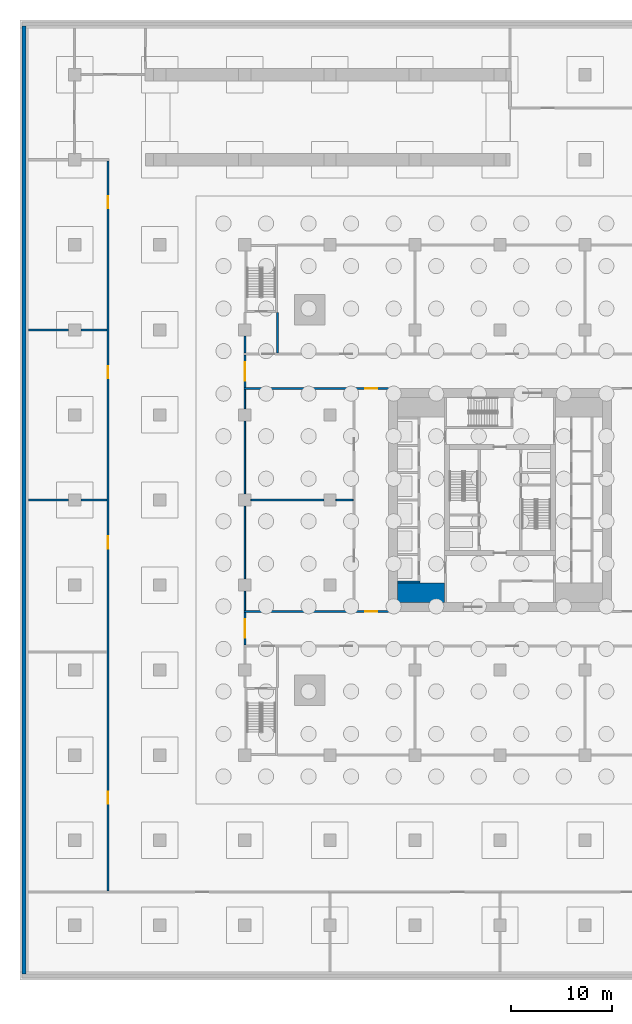
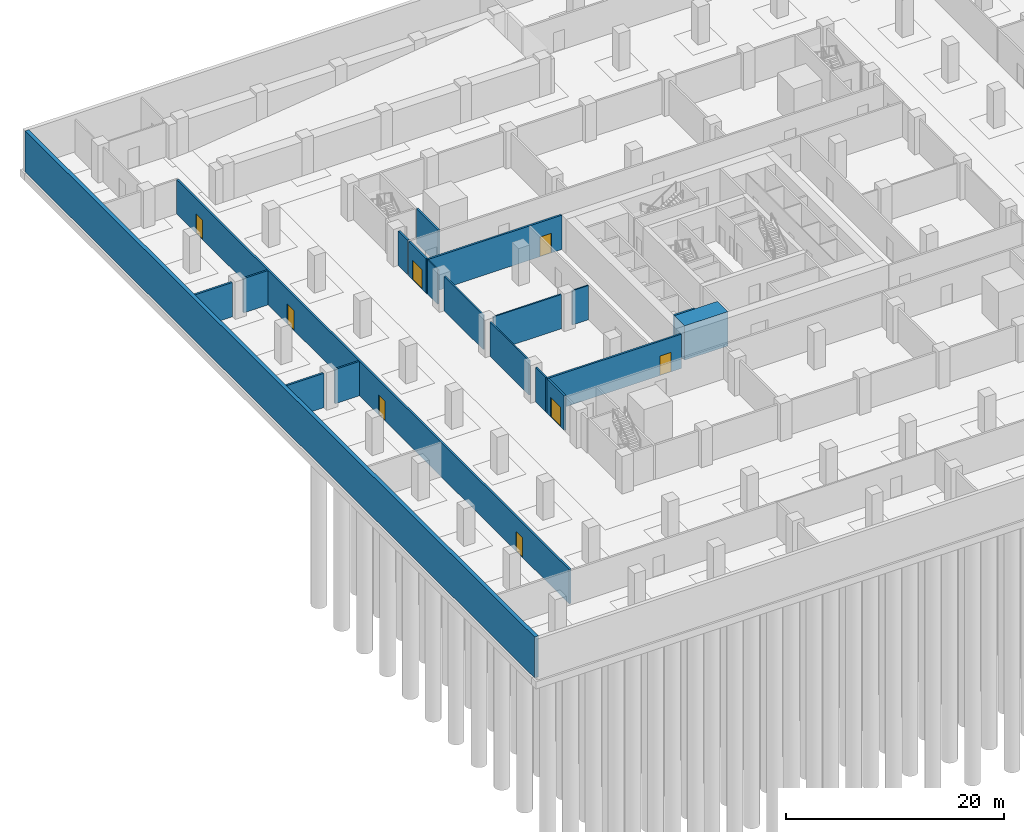
# One storey, part 6 of 19: 20 walls, 8 doors, 8 openings.
"""IFC4 building model written with IfcOpenShell, lengths in metres."""

from ifc_helpers import new_model, si_unit, direction, frame, frame_2d, origin, place, context, subcontext, project, spatial, rectangle, extrude, material, layer, layer_set, type_object, element, fill, save


model = new_model("IFC4")

# Units and contexts
model_context = context("Model", 3, precision=1e-05, world=origin(), true_north=direction((0.0, 1.0)))
body_context = subcontext(model_context, "Body", "Model", "MODEL_VIEW")
ifc_project = project(units=[si_unit("LENGTHUNIT", "METRE"), si_unit("AREAUNIT", "SQUARE_METRE"), si_unit("VOLUMEUNIT", "CUBIC_METRE"), si_unit("PLANEANGLEUNIT", "RADIAN"), si_unit("MASSUNIT", "GRAM", prefix="KILO")], contexts=[model_context])

# Site, building, storey
site_placement = place(None, origin())
site = spatial("IfcSite", under=ifc_project, at=site_placement, CompositionType="ELEMENT")
building_placement = place(site_placement, origin())
building = spatial("IfcBuilding", under=site, at=building_placement, Name="Khepri Terraces", CompositionType="ELEMENT")
storey_placement = place(building_placement, frame((0.0, 0.0, -8.39990234375)))
storey = spatial("IfcBuildingStorey", under=building, at=storey_placement, Name="B2", CompositionType="ELEMENT", Elevation=-8.39990234375)

# Walls
ifc_material_1 = material(Name="Concrete C80/95", Category="concrete")
ifc_layer_1 = layer(ifc_material_1, 1.89990234375, Name="Concrete C80/95", Category="concrete")
ifc_layer_set_1 = layer_set([ifc_layer_1], Name="Concrete C80/95")
wall_type_1 = type_object("IfcWallType", Name="Core wall 1900 C80/95", PredefinedType="SHEAR", material=ifc_layer_set_1)
wall_1_placement = place(storey_placement, frame((-10.10009765625, -9.14990234375, 0.0), z_axis=(0.0, 0.0, 1.0), x_axis=(1.0, 0.0, 0.0)))
element("IfcWall", 1, at=wall_1_placement, inside=storey, type_object=wall_type_1, Name="Core wall PR01 B2", PredefinedType="SHEAR", context=body_context, shape_type="SweptSolid", body=[
    extrude(rectangle(XDim=4.60009765625, YDim=1.89990234375, at=frame_2d((2.300048828125, 0.0))), origin(), (0.0, 0.0, 1.0), 3.849853515625),
])
ifc_layer_2 = layer(ifc_material_1, 0.199951171875, Name="Concrete C80/95", Category="concrete")
ifc_layer_set_2 = layer_set([ifc_layer_2], Name="Concrete C80/95")
wall_type_2 = type_object("IfcWallType", Name="Core wall 200 C80/95", PredefinedType="SHEAR", material=ifc_layer_set_2)
wall_2_placement = place(storey_placement, frame((-10.10009765625, -8.10009765625, 0.0), z_axis=(0.0, 0.0, 1.0), x_axis=(1.0, 0.0, 0.0)))
element("IfcWall", 2, at=wall_2_placement, inside=storey, type_object=wall_type_2, Name="Core wall SH01 B2", PredefinedType="SHEAR", context=body_context, shape_type="SweptSolid", body=[
    extrude(rectangle(XDim=2.2001953125, YDim=0.199951171875, at=frame_2d((1.10009765625, 0.0))), origin(), (0.0, 0.0, 1.0), 3.849853515625),
])
ifc_material_2 = material(Name="Concrete C60/75", Category="concrete")
ifc_layer_3 = layer(ifc_material_2, 0.39990234375, Name="Concrete C60/75", Category="concrete")
ifc_layer_set_3 = layer_set([ifc_layer_3], Name="Concrete C60/75")
wall_type_3 = type_object("IfcWallType", Name="Retaining wall RW1", PredefinedType="USERDEFINED", material=ifc_layer_set_3)
wall_3_placement = place(storey_placement, frame((-47.0, -46.800048828125, -0.400146484375), z_axis=(0.0, 0.0, 1.0), x_axis=(0.0, 1.0, 0.0)))
element("IfcWall", 3, at=wall_3_placement, inside=storey, type_object=wall_type_3, Name="Basement retaining wall W B2", ObjectType="RETAINING WALL", PredefinedType="USERDEFINED", context=body_context, shape_type="SweptSolid", body=[
    extrude(rectangle(XDim=93.60009765625, YDim=0.39990234375, at=frame_2d((46.800048828125, 0.0))), origin(), (0.0, 0.0, 1.0), 4.60009765625),
])
ifc_material_3 = material(Name="Gypsum board partition")
ifc_layer_4 = layer(ifc_material_3, 0.14990234375, Name="Gypsum board partition")
ifc_layer_set_4 = layer_set([ifc_layer_4], Name="Gypsum board partition")
wall_type_4 = type_object("IfcWallType", Name="WL-POD-150", PredefinedType="PARTITIONING", material=ifc_layer_set_4)
wall_4_placement = place(storey_placement, frame((-24.60009765625, 0.0, 0.0), z_axis=(0.0, 0.0, 1.0), x_axis=(1.0, 0.0, 0.0)))
element("IfcWall", 4, at=wall_4_placement, inside=storey, type_object=wall_type_4, Name="Partition B2-PW020", PredefinedType="PARTITIONING", context=body_context, shape_type="SweptSolid", body=[
    extrude(rectangle(XDim=7.2001953125, YDim=0.14990234375, at=frame_2d((3.60009765625, 0.0))), origin(), (0.0, 0.0, 1.0), 3.849853515625),
])
wall_5_placement = place(storey_placement, frame((-16.199951171875, 0.0, 0.0), z_axis=(0.0, 0.0, 1.0), x_axis=(1.0, 0.0, 0.0)))
element("IfcWall", 5, at=wall_5_placement, inside=storey, type_object=wall_type_4, Name="Partition B2-PW021", PredefinedType="PARTITIONING", context=body_context, shape_type="SweptSolid", body=[
    extrude(rectangle(XDim=1.699951171875, YDim=0.14990234375, at=frame_2d((0.85009765625, 0.0))), origin(), (0.0, 0.0, 1.0), 3.849853515625),
])
wall_6_placement = place(storey_placement, frame((-25.199951171875, -10.89990234375, 0.0), z_axis=(0.0, 0.0, 1.0), x_axis=(0.0, 1.0, 0.0)))
element("IfcWall", 6, at=wall_6_placement, inside=storey, type_object=wall_type_4, Name="Partition B2-PW062", PredefinedType="PARTITIONING", context=body_context, shape_type="SweptSolid", body=[
    extrude(rectangle(XDim=1.89990234375, YDim=0.14990234375, at=frame_2d((0.949951171875, 0.0))), origin(), (0.0, 0.0, 1.0), 3.849853515625),
])
for number, where, z_axis, x_axis, name in (
    (7, (-25.199951171875, -7.800048828125, 0.0), (0.0, 0.0, 1.0), (0.0, 1.0, 0.0), "Partition B2-PW063"),
    (8, (-25.199951171875, 0.60009765625, 0.0), (0.0, 0.0, 1.0), (0.0, 1.0, 0.0), "Partition B2-PW064"),
):
    element("IfcWall", number, at=place(storey_placement, frame(where, z_axis=z_axis, x_axis=x_axis)), inside=storey, type_object=wall_type_4, Name=name, PredefinedType="PARTITIONING", context=body_context, shape_type="SweptSolid", body=[
        extrude(rectangle(XDim=7.199951171875, YDim=0.14990234375, at=frame_2d((3.60009765625, 0.0))), origin(), (0.0, 0.0, 1.0), 3.849853515625),
    ])
wall_7_placement = place(storey_placement, frame((-25.199951171875, 9.0, 0.0), z_axis=(0.0, 0.0, 1.0), x_axis=(0.0, 1.0, 0.0)))
element("IfcWall", 9, at=wall_7_placement, inside=storey, type_object=wall_type_4, Name="Partition B2-PW065", PredefinedType="PARTITIONING", context=body_context, shape_type="SweptSolid", body=[
    extrude(rectangle(XDim=1.89990234375, YDim=0.14990234375, at=frame_2d((0.949951171875, 0.0))), origin(), (0.0, 0.0, 1.0), 3.849853515625),
])
ifc_material_4 = material(Name="Fire-rated block wall")
ifc_layer_5 = layer(ifc_material_4, 0.199951171875, Name="Fire-rated block wall")
ifc_layer_set_5 = layer_set([ifc_layer_5], Name="Fire-rated block wall")
wall_type_5 = type_object("IfcWallType", Name="WL-POD-200-EI120", PredefinedType="PARTITIONING", material=ifc_layer_set_5)
wall_8_placement = place(storey_placement, frame((-46.550048828125, 0.0, 0.0), z_axis=(0.0, 0.0, 1.0), x_axis=(1.0, 0.0, 0.0)))
element("IfcWall", 10, at=wall_8_placement, inside=storey, type_object=wall_type_5, Name="Partition B2-PW018", PredefinedType="PARTITIONING", context=body_context, shape_type="SweptSolid", body=[
    extrude(rectangle(XDim=3.949951171875, YDim=0.199951171875, at=frame_2d((1.97509765625, 0.0))), origin(), (0.0, 0.0, 1.0), 3.849853515625),
])
wall_9_placement = place(storey_placement, frame((-41.39990234375, 0.0, 0.0), z_axis=(0.0, 0.0, 1.0), x_axis=(1.0, 0.0, 0.0)))
element("IfcWall", 11, at=wall_9_placement, inside=storey, type_object=wall_type_5, Name="Partition B2-PW019", PredefinedType="PARTITIONING", context=body_context, shape_type="SweptSolid", body=[
    extrude(rectangle(XDim=2.599853515625, YDim=0.199951171875, at=frame_2d((1.2998046875, 0.0))), origin(), (0.0, 0.0, 1.0), 3.849853515625),
])
wall_10_placement = place(storey_placement, frame((-46.550048828125, 16.800048828125, 0.0), z_axis=(0.0, 0.0, 1.0), x_axis=(1.0, 0.0, 0.0)))
element("IfcWall", 12, at=wall_10_placement, inside=storey, type_object=wall_type_5, Name="Partition B2-PW027", PredefinedType="PARTITIONING", context=body_context, shape_type="SweptSolid", body=[
    extrude(rectangle(XDim=3.949951171875, YDim=0.199951171875, at=frame_2d((1.97509765625, 0.0))), origin(), (0.0, 0.0, 1.0), 3.849853515625),
])
wall_11_placement = place(storey_placement, frame((-41.39990234375, 16.800048828125, 0.0), z_axis=(0.0, 0.0, 1.0), x_axis=(1.0, 0.0, 0.0)))
element("IfcWall", 13, at=wall_11_placement, inside=storey, type_object=wall_type_5, Name="Partition B2-PW028", PredefinedType="PARTITIONING", context=body_context, shape_type="SweptSolid", body=[
    extrude(rectangle(XDim=2.599853515625, YDim=0.199951171875, at=frame_2d((1.2998046875, 0.0))), origin(), (0.0, 0.0, 1.0), 3.849853515625),
])

# Wall, openings, doors
wall_12_placement = place(storey_placement, frame((-38.699951171875, -38.60009765625, 0.0), z_axis=(0.0, 0.0, 1.0), x_axis=(0.0, 1.0, 0.0)))
wall_12 = element("IfcWall", 14, at=wall_12_placement, inside=storey, type_object=wall_type_5, Name="Partition B2-PW057", PredefinedType="PARTITIONING", context=body_context, shape_type="SweptSolid", body=[
    extrude(rectangle(XDim=72.10009765625, YDim=0.199951171875, at=frame_2d((36.050048828125, 0.0))), origin(), (0.0, 0.0, 1.0), 3.849853515625),
])
opening_1_placement = place(wall_12_placement, frame((8.60009765625, 0.0, 0.0)))
opening_1 = element("IfcOpeningElement", 15, at=opening_1_placement, cuts=wall_12, Name="Opening B2-P05", PredefinedType="OPENING", context=body_context, shape_type="SweptSolid", body=[
    extrude(rectangle(XDim=1.199951171875, YDim=2.199951171875, at=frame_2d((0.60009765625, 1.10009765625))), frame((0.0, 0.10986328125, 0.0), z_axis=(0.0, -1.0, 0.0), x_axis=(1.0, 0.0, 0.0)), (0.0, 0.0, 1.0), 0.219970703125),
])
opening_2_placement = place(wall_12_placement, frame((33.800048828125, 0.0, 0.0)))
opening_2 = element("IfcOpeningElement", 16, at=opening_2_placement, cuts=wall_12, Name="Opening B2-P18", PredefinedType="OPENING", context=body_context, shape_type="SweptSolid", body=[
    extrude(rectangle(XDim=1.199951171875, YDim=2.199951171875, at=frame_2d((0.60009765625, 1.10009765625))), frame((0.0, 0.10986328125, 0.0), z_axis=(0.0, -1.0, 0.0), x_axis=(1.0, 0.0, 0.0)), (0.0, 0.0, 1.0), 0.219970703125),
])
opening_3_placement = place(wall_12_placement, frame((50.60009765625, 0.0, 0.0)))
opening_3 = element("IfcOpeningElement", 17, at=opening_3_placement, cuts=wall_12, Name="Opening B2-P24", PredefinedType="OPENING", context=body_context, shape_type="SweptSolid", body=[
    extrude(rectangle(XDim=1.199951171875, YDim=2.199951171875, at=frame_2d((0.60009765625, 1.10009765625))), frame((0.0, 0.10986328125, 0.0), z_axis=(0.0, -1.0, 0.0), x_axis=(1.0, 0.0, 0.0)), (0.0, 0.0, 1.0), 0.219970703125),
])
opening_4_placement = place(wall_12_placement, frame((67.39990234375, 0.0, 0.0)))
opening_4 = element("IfcOpeningElement", 18, at=opening_4_placement, cuts=wall_12, Name="Opening B2-P33", PredefinedType="OPENING", context=body_context, shape_type="SweptSolid", body=[
    extrude(rectangle(XDim=1.199951171875, YDim=2.199951171875, at=frame_2d((0.60009765625, 1.10009765625))), frame((0.0, 0.10986328125, 0.0), z_axis=(0.0, -1.0, 0.0), x_axis=(1.0, 0.0, 0.0)), (0.0, 0.0, 1.0), 0.219970703125),
])
ifc_material_5 = material(Name="Painted steel", Category="steel")
door_type_1 = type_object("IfcDoorType", Name="DR-POD-PLANT-1200", OperationType="NOTDEFINED", PredefinedType="DOOR", material=ifc_material_5)
door_1_placement = place(opening_1_placement, origin())
door_1 = element("IfcDoor", 19, at=door_1_placement, inside=storey, type_object=door_type_1, Name="Plant room door B2-P05", OperationType="SINGLE_SWING_LEFT", OverallHeight=2.199951171875, OverallWidth=1.199951171875, PredefinedType="DOOR", context=body_context, shape_type="SweptSolid", body=[
    extrude(rectangle(XDim=1.199951171875, YDim=2.199951171875, at=frame_2d((0.60009765625, 1.10009765625))), frame((0.0, 0.02490234375, 0.0), z_axis=(0.0, -1.0, 0.0), x_axis=(1.0, 0.0, 0.0)), (0.0, 0.0, 1.0), 0.050048828125),
])
fill(opening_1, door_1)
door_2_placement = place(opening_2_placement, origin())
door_2 = element("IfcDoor", 20, at=door_2_placement, inside=storey, type_object=door_type_1, Name="Plant room door B2-P18", OperationType="SINGLE_SWING_LEFT", OverallHeight=2.199951171875, OverallWidth=1.199951171875, PredefinedType="DOOR", context=body_context, shape_type="SweptSolid", body=[
    extrude(rectangle(XDim=1.199951171875, YDim=2.199951171875, at=frame_2d((0.60009765625, 1.10009765625))), frame((0.0, 0.02490234375, 0.0), z_axis=(0.0, -1.0, 0.0), x_axis=(1.0, 0.0, 0.0)), (0.0, 0.0, 1.0), 0.050048828125),
])
fill(opening_2, door_2)
door_3_placement = place(opening_3_placement, origin())
door_3 = element("IfcDoor", 21, at=door_3_placement, inside=storey, type_object=door_type_1, Name="Plant room door B2-P24", OperationType="SINGLE_SWING_RIGHT", OverallHeight=2.199951171875, OverallWidth=1.199951171875, PredefinedType="DOOR", context=body_context, shape_type="SweptSolid", body=[
    extrude(rectangle(XDim=1.199951171875, YDim=2.199951171875, at=frame_2d((0.60009765625, 1.10009765625))), frame((0.0, 0.02490234375, 0.0), z_axis=(0.0, -1.0, 0.0), x_axis=(1.0, 0.0, 0.0)), (0.0, 0.0, 1.0), 0.050048828125),
])
fill(opening_3, door_3)
door_4_placement = place(opening_4_placement, origin())
door_4 = element("IfcDoor", 22, at=door_4_placement, inside=storey, type_object=door_type_1, Name="Plant room door B2-P33", OperationType="SINGLE_SWING_RIGHT", OverallHeight=2.199951171875, OverallWidth=1.199951171875, PredefinedType="DOOR", context=body_context, shape_type="SweptSolid", body=[
    extrude(rectangle(XDim=1.199951171875, YDim=2.199951171875, at=frame_2d((0.60009765625, 1.10009765625))), frame((0.0, 0.02490234375, 0.0), z_axis=(0.0, -1.0, 0.0), x_axis=(1.0, 0.0, 0.0)), (0.0, 0.0, 1.0), 0.050048828125),
])
fill(opening_4, door_4)

# Walls
wall_13_placement = place(storey_placement, frame((-25.199951171875, 14.5, 0.0), z_axis=(0.0, 0.0, 1.0), x_axis=(0.0, 1.0, 0.0)))
element("IfcWall", 23, at=wall_13_placement, inside=storey, type_object=wall_type_5, Name="Partition B2-PW067", PredefinedType="PARTITIONING", context=body_context, shape_type="SweptSolid", body=[
    extrude(rectangle(XDim=1.699951171875, YDim=0.199951171875, at=frame_2d((0.85009765625, 0.0))), origin(), (0.0, 0.0, 1.0), 3.849853515625),
])
wall_14_placement = place(storey_placement, frame((-21.949951171875, 14.5, 0.0), z_axis=(0.0, 0.0, 1.0), x_axis=(0.0, 1.0, 0.0)))
element("IfcWall", 24, at=wall_14_placement, inside=storey, type_object=wall_type_5, Name="Partition B2-PW070", PredefinedType="PARTITIONING", context=body_context, shape_type="SweptSolid", body=[
    extrude(rectangle(XDim=4.0, YDim=0.199951171875, at=frame_2d((2.0, 0.0))), origin(), (0.0, 0.0, 1.0), 3.849853515625),
])

# Wall, opening, door
ifc_layer_6 = layer(ifc_material_4, 0.199951171875, Name="Fire-rated block wall")
ifc_layer_set_6 = layer_set([ifc_layer_6], Name="Fire-rated block wall")
wall_type_6 = type_object("IfcWallType", Name="WL-POD-200-EI60", PredefinedType="PARTITIONING", material=ifc_layer_set_6)
wall_15_placement = place(storey_placement, frame((-25.300048828125, -11.0, 0.0), z_axis=(0.0, 0.0, 1.0), x_axis=(1.0, 0.0, 0.0)))
wall_15 = element("IfcWall", 25, at=wall_15_placement, inside=storey, type_object=wall_type_6, Name="Partition B2-PW015", PredefinedType="PARTITIONING", context=body_context, shape_type="SweptSolid", body=[
    extrude(rectangle(XDim=14.300048828125, YDim=0.199951171875, at=frame_2d((7.14990234375, 0.0))), origin(), (0.0, 0.0, 1.0), 3.849853515625),
])
opening_5_placement = place(wall_15_placement, frame((12.0, 0.0, 0.0)))
opening_5 = element("IfcOpeningElement", 26, at=opening_5_placement, cuts=wall_15, Name="Opening B2-P14", PredefinedType="OPENING", context=body_context, shape_type="SweptSolid", body=[
    extrude(rectangle(XDim=1.199951171875, YDim=2.199951171875, at=frame_2d((0.60009765625, 1.10009765625))), frame((0.0, 0.10986328125, 0.0), z_axis=(0.0, -1.0, 0.0), x_axis=(1.0, 0.0, 0.0)), (0.0, 0.0, 1.0), 0.219970703125),
])
door_type_2 = type_object("IfcDoorType", Name="DR-POD-FIRE-1200", OperationType="NOTDEFINED", PredefinedType="DOOR", material=ifc_material_5)
door_5_placement = place(opening_5_placement, origin())
door_5 = element("IfcDoor", 27, at=door_5_placement, inside=storey, type_object=door_type_2, Name="Fire door B2-P14", OperationType="SINGLE_SWING_LEFT", OverallHeight=2.199951171875, OverallWidth=1.199951171875, PredefinedType="DOOR", context=body_context, shape_type="SweptSolid", body=[
    extrude(rectangle(XDim=1.199951171875, YDim=2.199951171875, at=frame_2d((0.60009765625, 1.10009765625))), frame((0.0, 0.02490234375, 0.0), z_axis=(0.0, -1.0, 0.0), x_axis=(1.0, 0.0, 0.0)), (0.0, 0.0, 1.0), 0.050048828125),
])
fill(opening_5, door_5)

wall_16_placement = place(storey_placement, frame((-25.300048828125, 11.0, 0.0), z_axis=(0.0, 0.0, 1.0), x_axis=(1.0, 0.0, 0.0)))
wall_16 = element("IfcWall", 28, at=wall_16_placement, inside=storey, type_object=wall_type_6, Name="Partition B2-PW024", PredefinedType="PARTITIONING", context=body_context, shape_type="SweptSolid", body=[
    extrude(rectangle(XDim=14.300048828125, YDim=0.199951171875, at=frame_2d((7.14990234375, 0.0))), origin(), (0.0, 0.0, 1.0), 3.849853515625),
])
opening_6_placement = place(wall_16_placement, frame((12.0, 0.0, 0.0)))
opening_6 = element("IfcOpeningElement", 29, at=opening_6_placement, cuts=wall_16, Name="Opening B2-P22", PredefinedType="OPENING", context=body_context, shape_type="SweptSolid", body=[
    extrude(rectangle(XDim=1.199951171875, YDim=2.199951171875, at=frame_2d((0.60009765625, 1.10009765625))), frame((0.0, 0.10986328125, 0.0), z_axis=(0.0, -1.0, 0.0), x_axis=(1.0, 0.0, 0.0)), (0.0, 0.0, 1.0), 0.219970703125),
])
door_6_placement = place(opening_6_placement, origin())
door_6 = element("IfcDoor", 30, at=door_6_placement, inside=storey, type_object=door_type_2, Name="Fire door B2-P22", OperationType="SINGLE_SWING_RIGHT", OverallHeight=2.199951171875, OverallWidth=1.199951171875, PredefinedType="DOOR", context=body_context, shape_type="SweptSolid", body=[
    extrude(rectangle(XDim=1.199951171875, YDim=2.199951171875, at=frame_2d((0.60009765625, 1.10009765625))), frame((0.0, 0.02490234375, 0.0), z_axis=(0.0, -1.0, 0.0), x_axis=(1.0, 0.0, 0.0)), (0.0, 0.0, 1.0), 0.050048828125),
])
fill(opening_6, door_6)

wall_17_placement = place(storey_placement, frame((-25.199951171875, -14.300048828125, 0.0), z_axis=(0.0, 0.0, 1.0), x_axis=(0.0, 1.0, 0.0)))
wall_17 = element("IfcWall", 31, at=wall_17_placement, inside=storey, type_object=wall_type_6, Name="Partition B2-PW061", PredefinedType="PARTITIONING", context=body_context, shape_type="SweptSolid", body=[
    extrude(rectangle(XDim=3.199951171875, YDim=0.199951171875, at=frame_2d((1.60009765625, 0.0))), origin(), (0.0, 0.0, 1.0), 3.849853515625),
])
opening_7_placement = place(wall_17_placement, frame((0.699951171875, 0.0, 0.0)))
opening_7 = element("IfcOpeningElement", 32, at=opening_7_placement, cuts=wall_17, Name="Opening B2-P12", PredefinedType="OPENING", context=body_context, shape_type="SweptSolid", body=[
    extrude(rectangle(XDim=1.800048828125, YDim=2.199951171875, at=frame_2d((0.89990234375, 1.10009765625))), frame((0.0, 0.10986328125, 0.0), z_axis=(0.0, -1.0, 0.0), x_axis=(1.0, 0.0, 0.0)), (0.0, 0.0, 1.0), 0.219970703125),
])
door_type_3 = type_object("IfcDoorType", Name="DR-POD-FIRE-PAIR-1800", OperationType="DOUBLE_DOOR_SINGLE_SWING", PredefinedType="DOOR", material=ifc_material_5)
door_7_placement = place(opening_7_placement, origin())
door_7 = element("IfcDoor", 33, at=door_7_placement, inside=storey, type_object=door_type_3, Name="Fire door pair B2-P12", OperationType="DOUBLE_DOOR_SINGLE_SWING", OverallHeight=2.199951171875, OverallWidth=1.800048828125, PredefinedType="DOOR", context=body_context, shape_type="SweptSolid", body=[
    extrude(rectangle(XDim=1.800048828125, YDim=2.199951171875, at=frame_2d((0.89990234375, 1.10009765625))), frame((0.0, 0.02490234375, 0.0), z_axis=(0.0, -1.0, 0.0), x_axis=(1.0, 0.0, 0.0)), (0.0, 0.0, 1.0), 0.050048828125),
])
fill(opening_7, door_7)

wall_18_placement = place(storey_placement, frame((-25.199951171875, 11.10009765625, 0.0), z_axis=(0.0, 0.0, 1.0), x_axis=(0.0, 1.0, 0.0)))
wall_18 = element("IfcWall", 34, at=wall_18_placement, inside=storey, type_object=wall_type_6, Name="Partition B2-PW066", PredefinedType="PARTITIONING", context=body_context, shape_type="SweptSolid", body=[
    extrude(rectangle(XDim=3.199951171875, YDim=0.199951171875, at=frame_2d((1.60009765625, 0.0))), origin(), (0.0, 0.0, 1.0), 3.849853515625),
])
opening_8_placement = place(wall_18_placement, frame((0.699951171875, 0.0, 0.0)))
opening_8 = element("IfcOpeningElement", 35, at=opening_8_placement, cuts=wall_18, Name="Opening B2-P26", PredefinedType="OPENING", context=body_context, shape_type="SweptSolid", body=[
    extrude(rectangle(XDim=1.800048828125, YDim=2.199951171875, at=frame_2d((0.89990234375, 1.10009765625))), frame((0.0, 0.10986328125, 0.0), z_axis=(0.0, -1.0, 0.0), x_axis=(1.0, 0.0, 0.0)), (0.0, 0.0, 1.0), 0.219970703125),
])
door_8_placement = place(opening_8_placement, origin())
door_8 = element("IfcDoor", 36, at=door_8_placement, inside=storey, type_object=door_type_3, Name="Fire door pair B2-P26", OperationType="DOUBLE_DOOR_SINGLE_SWING", OverallHeight=2.199951171875, OverallWidth=1.800048828125, PredefinedType="DOOR", context=body_context, shape_type="SweptSolid", body=[
    extrude(rectangle(XDim=1.800048828125, YDim=2.199951171875, at=frame_2d((0.89990234375, 1.10009765625))), frame((0.0, 0.02490234375, 0.0), z_axis=(0.0, -1.0, 0.0), x_axis=(1.0, 0.0, 0.0)), (0.0, 0.0, 1.0), 0.050048828125),
])
fill(opening_8, door_8)

save(model, "model.ifc")
